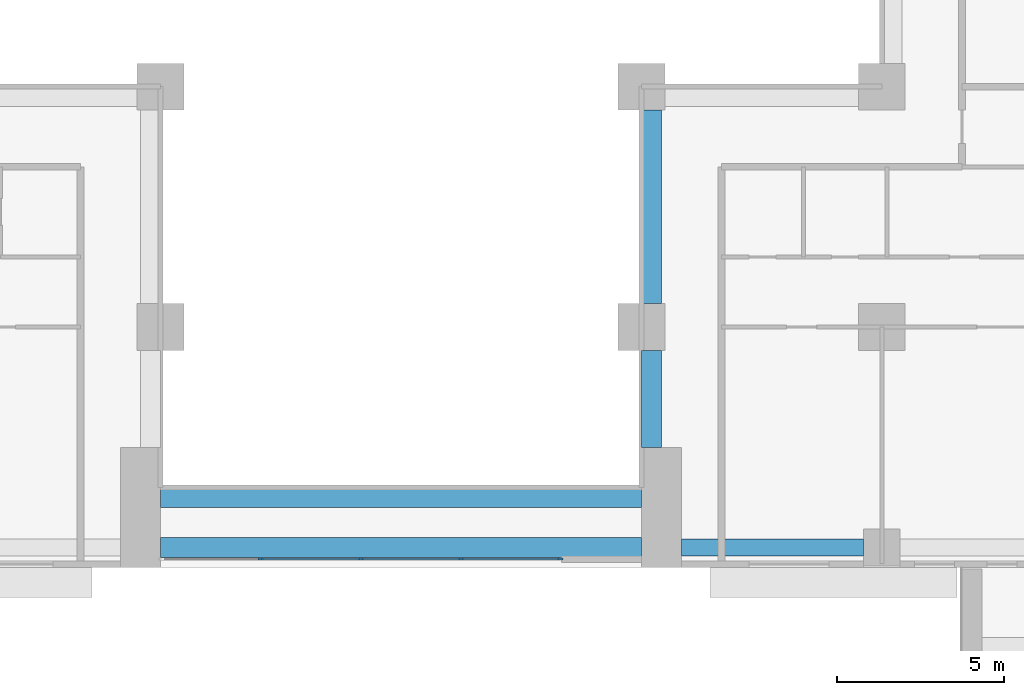
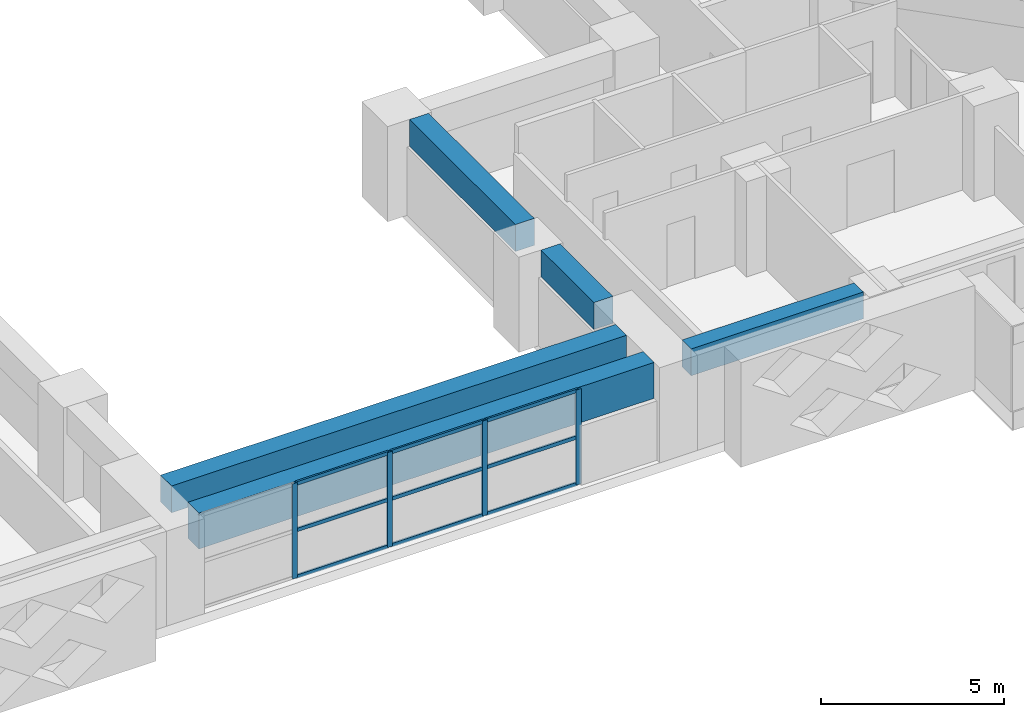
# One storey, part 4 of 16: 13 members, 5 beams, 1 element without a shape of its own.
"""IFC4 building model written with IfcOpenShell, lengths in metres."""

from ifc_helpers import new_model, si_unit, direction, frame, origin, origin_2d, place, context, subcontext, project, spatial, rectangle, extrude, source, transform, mapped, material, layer, layer_set, material_profile, profile_set, type_object, element, aggregate, save


model = new_model("IFC4")

# Units and contexts
model_context = context("Model", 3, precision=1e-05, world=origin(), true_north=direction((0.0, 1.0)))
body_context = subcontext(model_context, "Body", "Model", "MODEL_VIEW")
ifc_project = project(units=[si_unit("LENGTHUNIT", "METRE"), si_unit("AREAUNIT", "SQUARE_METRE"), si_unit("VOLUMEUNIT", "CUBIC_METRE"), si_unit("PLANEANGLEUNIT", "RADIAN"), si_unit("MASSUNIT", "GRAM", prefix="KILO")], contexts=[model_context])

# Site, building, storey
site_placement = place(None, origin())
site = spatial("IfcSite", under=ifc_project, at=site_placement, CompositionType="ELEMENT")
building_placement = place(site_placement, origin())
building = spatial("IfcBuilding", under=site, at=building_placement, Name="Saffron Iwan Residences", CompositionType="ELEMENT")
storey_placement = place(building_placement, frame((0.0, 0.0, 48.0)))
storey = spatial("IfcBuildingStorey", under=building, at=storey_placement, Name="L11", CompositionType="ELEMENT", Elevation=48.0)

# Beams
ifc_material_1 = material(Name="Concrete C60/75", Category="concrete")
ifc_material_profile_1 = material_profile(ifc_material_1, rectangle(XDim=0.5, YDim=0.89990234375, at=origin_2d()), Name="RC 500x900")
ifc_profile_set_1 = profile_set([ifc_material_profile_1], Name="Concrete C60/75")
beam_type_1 = type_object("IfcBeamType", Name="SPANDREL BEAM RC 500x900 C60/75 TOP 3180", PredefinedType="SPANDREL", material=ifc_profile_set_1)
shared_shape_1 = source(origin(), body_context, "Body", "SweptSolid", [
    extrude(rectangle(XDim=0.5, YDim=0.89990234375, at=origin_2d()), origin(), (0.0, 0.0, 1.0), 5.449951171875),
])
beam_1_placement = place(storey_placement, frame((64.25, 34.199951171875, 2.72998046875), z_axis=(-1.0, 0.0, 0.0), x_axis=(0.0, -1.0, 0.0)))
element("IfcBeam", 1, at=beam_1_placement, inside=storey, type_object=beam_type_1, Name="Spandrel beam", PredefinedType="SPANDREL", context=body_context, shape_type="MappedRepresentation", body=[
    mapped(shared_shape_1, transform((0.0, 0.0, 0.0))),
])
ifc_material_profile_2 = material_profile(ifc_material_1, rectangle(XDim=0.60009765625, YDim=1.199951171875, at=origin_2d()), Name="RC 600x1200")
ifc_profile_set_2 = profile_set([ifc_material_profile_2], Name="Concrete C60/75")
beam_type_2 = type_object("IfcBeamType", Name="LINTEL BEAM RC 600x1200 C60/75 TOP 3180", PredefinedType="LINTEL", material=ifc_profile_set_2)
shared_shape_2 = source(origin(), body_context, "Body", "SweptSolid", [
    extrude(rectangle(XDim=0.60009765625, YDim=1.199951171875, at=origin_2d()), origin(), (0.0, 0.0, 1.0), 14.400146484375),
])
beam_2_placement = place(storey_placement, frame((57.60009765625, 34.199951171875, 2.580078125), z_axis=(-1.0, 0.0, 0.0), x_axis=(0.0, -1.0, 0.0)))
element("IfcBeam", 2, at=beam_2_placement, inside=storey, type_object=beam_type_2, Name="Lintel beam over the iwan", PredefinedType="LINTEL", context=body_context, shape_type="MappedRepresentation", body=[
    mapped(shared_shape_2, transform((0.0, 0.0, 0.0))),
])
ifc_material_profile_3 = material_profile(ifc_material_1, rectangle(XDim=0.60009765625, YDim=0.89990234375, at=origin_2d()), Name="RC 600x900")
ifc_profile_set_3 = profile_set([ifc_material_profile_3], Name="Concrete C60/75")
beam_type_3 = type_object("IfcBeamType", Name="BEAM RC 600x900 C60/75 TOP 3180", PredefinedType="BEAM", material=ifc_profile_set_3)
shared_shape_3 = source(origin(), body_context, "Body", "SweptSolid", [
    extrude(rectangle(XDim=0.60009765625, YDim=0.89990234375, at=origin_2d()), origin(), (0.0, 0.0, 1.0), 14.400146484375),
])
beam_3_placement = place(storey_placement, frame((57.60009765625, 35.699951171875, 2.72998046875), z_axis=(-1.0, 0.0, 0.0), x_axis=(0.0, -1.0, 0.0)))
element("IfcBeam", 3, at=beam_3_placement, inside=storey, type_object=beam_type_3, Name="Atrium edge beam", PredefinedType="BEAM", context=body_context, shape_type="MappedRepresentation", body=[
    mapped(shared_shape_3, transform((0.0, 0.0, 0.0))),
])
shared_shape_4 = source(origin(), body_context, "Body", "SweptSolid", [
    extrude(rectangle(XDim=0.60009765625, YDim=0.89990234375, at=origin_2d()), origin(), (0.0, 0.0, 1.0), 2.900146484375),
])
beam_4_placement = place(storey_placement, frame((57.89990234375, 40.10009765625, 2.72998046875), z_axis=(0.0, -1.0, 0.0), x_axis=(1.0, 0.0, 0.0)))
element("IfcBeam", 4, at=beam_4_placement, inside=storey, type_object=beam_type_3, Name="Atrium edge beam", PredefinedType="BEAM", context=body_context, shape_type="MappedRepresentation", body=[
    mapped(shared_shape_4, transform((0.0, 0.0, 0.0))),
])
shared_shape_5 = source(origin(), body_context, "Body", "SweptSolid", [
    extrude(rectangle(XDim=0.60009765625, YDim=0.89990234375, at=origin_2d()), origin(), (0.0, 0.0, 1.0), 5.800048828125),
])
beam_5_placement = place(storey_placement, frame((57.89990234375, 47.300048828125, 2.72998046875), z_axis=(0.0, -1.0, 0.0), x_axis=(1.0, 0.0, 0.0)))
element("IfcBeam", 5, at=beam_5_placement, inside=storey, type_object=beam_type_3, Name="Atrium edge beam", PredefinedType="BEAM", context=body_context, shape_type="MappedRepresentation", body=[
    mapped(shared_shape_5, transform((0.0, 0.0, 0.0))),
])

# Curtain wall, members
ifc_material_2 = material(Name="Clear glass, laminated double glazed", Category="glass")
ifc_layer = layer(ifc_material_2, 0.199951171875)
ifc_layer_set = layer_set([ifc_layer], Name="Clear glass, laminated double glazed")
curtain_wall_type = type_object("IfcCurtainWallType", Name="CW-B IWAN PORTAL", PredefinedType="NOTDEFINED", material=ifc_layer_set)
curtain_wall_placement = place(storey_placement, origin())
curtain_wall = element("IfcCurtainWall", 6, at=curtain_wall_placement, inside=storey, type_object=curtain_wall_type, Name="Iwan portal glazing L11.1", PredefinedType="NOTDEFINED")
ifc_material_3 = material(Name="Aluminium 6063-T6", Category="aluminium")
ifc_material_profile_4 = material_profile(ifc_material_3, rectangle(XDim=0.06005859375, YDim=0.159912109375, at=origin_2d()), Name="CW-B MULLION 60 x 160")
ifc_profile_set_4 = profile_set([ifc_material_profile_4], Name="Aluminium 6063-T6")
member_type_1 = type_object("IfcMemberType", Name="CW-B MULLION 60 x 160", PredefinedType="MULLION", material=ifc_profile_set_4)
shared_shape_6 = source(origin(), body_context, "Body", "SweptSolid", [
    extrude(rectangle(XDim=0.06005859375, YDim=0.159912109375, at=origin_2d()), origin(), (0.0, 0.0, 1.0), 3.179931640625),
])
member_1_placement = place(storey_placement, frame((46.199951171875, 33.85009765625, 0.0), z_axis=(0.0, 0.0, 1.0), x_axis=(0.0, 1.0, 0.0)))
member_1 = element("IfcMember", 7, at=member_1_placement, type_object=member_type_1, Name="CW-B mullion 2", PredefinedType="MULLION", context=body_context, shape_type="MappedRepresentation", body=[
    mapped(shared_shape_6, transform((0.0, 0.0, 0.0))),
])
member_2_placement = place(storey_placement, frame((49.199951171875, 33.85009765625, 0.0), z_axis=(0.0, 0.0, 1.0), x_axis=(0.0, 1.0, 0.0)))
member_2 = element("IfcMember", 8, at=member_2_placement, type_object=member_type_1, Name="CW-B mullion 3", PredefinedType="MULLION", context=body_context, shape_type="MappedRepresentation", body=[
    mapped(shared_shape_6, transform((0.0, 0.0, 0.0))),
])
member_3_placement = place(storey_placement, frame((52.199951171875, 33.85009765625, 0.0), z_axis=(0.0, 0.0, 1.0), x_axis=(0.0, 1.0, 0.0)))
member_3 = element("IfcMember", 9, at=member_3_placement, type_object=member_type_1, Name="CW-B mullion 4", PredefinedType="MULLION", context=body_context, shape_type="MappedRepresentation", body=[
    mapped(shared_shape_6, transform((0.0, 0.0, 0.0))),
])
member_4_placement = place(storey_placement, frame((55.169921875, 33.85009765625, 0.0), z_axis=(0.0, 0.0, 1.0), x_axis=(0.0, 1.0, 0.0)))
member_4 = element("IfcMember", 10, at=member_4_placement, type_object=member_type_1, Name="CW-B mullion 5", PredefinedType="MULLION", context=body_context, shape_type="MappedRepresentation", body=[
    mapped(shared_shape_6, transform((0.0, 0.0, 0.0))),
])
ifc_material_profile_5 = material_profile(ifc_material_3, rectangle(XDim=0.06005859375, YDim=0.1201171875, at=origin_2d()), Name="CW-B TRANSOM 60 x 120")
ifc_profile_set_5 = profile_set([ifc_material_profile_5], Name="Aluminium 6063-T6")
member_type_2 = type_object("IfcMemberType", Name="CW-B TRANSOM 60 x 120", PredefinedType="USERDEFINED", material=ifc_profile_set_5)
shared_shape_7 = source(origin(), body_context, "Body", "SweptSolid", [
    extrude(rectangle(XDim=0.06005859375, YDim=0.1201171875, at=origin_2d()), origin(), (0.0, 0.0, 1.0), 2.909912109375),
])
member_5_placement = place(storey_placement, frame((52.22998046875, 33.85009765625, 0.030029296875), z_axis=(1.0, 0.0, 0.0), x_axis=(0.0, 1.0, 0.0)))
member_5 = element("IfcMember", 11, at=member_5_placement, type_object=member_type_2, Name="CW-B transom 4.1", ObjectType="TRANSOM", PredefinedType="USERDEFINED", context=body_context, shape_type="MappedRepresentation", body=[
    mapped(shared_shape_7, transform((0.0, 0.0, 0.0))),
])
member_6_placement = place(storey_placement, frame((52.22998046875, 33.85009765625, 1.590087890625), z_axis=(1.0, 0.0, 0.0), x_axis=(0.0, 1.0, 0.0)))
member_6 = element("IfcMember", 12, at=member_6_placement, type_object=member_type_2, Name="CW-B transom 4.2", ObjectType="TRANSOM", PredefinedType="USERDEFINED", context=body_context, shape_type="MappedRepresentation", body=[
    mapped(shared_shape_7, transform((0.0, 0.0, 0.0))),
])
member_7_placement = place(storey_placement, frame((52.22998046875, 33.85009765625, 3.14990234375), z_axis=(1.0, 0.0, 0.0), x_axis=(0.0, 1.0, 0.0)))
member_7 = element("IfcMember", 13, at=member_7_placement, type_object=member_type_2, Name="CW-B transom 4.3", ObjectType="TRANSOM", PredefinedType="USERDEFINED", context=body_context, shape_type="MappedRepresentation", body=[
    mapped(shared_shape_7, transform((0.0, 0.0, 0.0))),
])
shared_shape_8 = source(origin(), body_context, "Body", "SweptSolid", [
    extrude(rectangle(XDim=0.06005859375, YDim=0.1201171875, at=origin_2d()), origin(), (0.0, 0.0, 1.0), 2.93994140625),
])
member_8_placement = place(storey_placement, frame((46.22998046875, 33.85009765625, 0.030029296875), z_axis=(1.0, 0.0, 0.0), x_axis=(0.0, 1.0, 0.0)))
member_8 = element("IfcMember", 14, at=member_8_placement, type_object=member_type_2, Name="CW-B transom 2.1", ObjectType="TRANSOM", PredefinedType="USERDEFINED", context=body_context, shape_type="MappedRepresentation", body=[
    mapped(shared_shape_8, transform((0.0, 0.0, 0.0))),
])
member_9_placement = place(storey_placement, frame((46.22998046875, 33.85009765625, 1.590087890625), z_axis=(1.0, 0.0, 0.0), x_axis=(0.0, 1.0, 0.0)))
member_9 = element("IfcMember", 15, at=member_9_placement, type_object=member_type_2, Name="CW-B transom 2.2", ObjectType="TRANSOM", PredefinedType="USERDEFINED", context=body_context, shape_type="MappedRepresentation", body=[
    mapped(shared_shape_8, transform((0.0, 0.0, 0.0))),
])
member_10_placement = place(storey_placement, frame((46.22998046875, 33.85009765625, 3.14990234375), z_axis=(1.0, 0.0, 0.0), x_axis=(0.0, 1.0, 0.0)))
member_10 = element("IfcMember", 16, at=member_10_placement, type_object=member_type_2, Name="CW-B transom 2.3", ObjectType="TRANSOM", PredefinedType="USERDEFINED", context=body_context, shape_type="MappedRepresentation", body=[
    mapped(shared_shape_8, transform((0.0, 0.0, 0.0))),
])
member_11_placement = place(storey_placement, frame((49.22998046875, 33.85009765625, 0.030029296875), z_axis=(1.0, 0.0, 0.0), x_axis=(0.0, 1.0, 0.0)))
member_11 = element("IfcMember", 17, at=member_11_placement, type_object=member_type_2, Name="CW-B transom 3.1", ObjectType="TRANSOM", PredefinedType="USERDEFINED", context=body_context, shape_type="MappedRepresentation", body=[
    mapped(shared_shape_8, transform((0.0, 0.0, 0.0))),
])
member_12_placement = place(storey_placement, frame((49.22998046875, 33.85009765625, 1.590087890625), z_axis=(1.0, 0.0, 0.0), x_axis=(0.0, 1.0, 0.0)))
member_12 = element("IfcMember", 18, at=member_12_placement, type_object=member_type_2, Name="CW-B transom 3.2", ObjectType="TRANSOM", PredefinedType="USERDEFINED", context=body_context, shape_type="MappedRepresentation", body=[
    mapped(shared_shape_8, transform((0.0, 0.0, 0.0))),
])
member_13_placement = place(storey_placement, frame((49.22998046875, 33.85009765625, 3.14990234375), z_axis=(1.0, 0.0, 0.0), x_axis=(0.0, 1.0, 0.0)))
member_13 = element("IfcMember", 19, at=member_13_placement, type_object=member_type_2, Name="CW-B transom 3.3", ObjectType="TRANSOM", PredefinedType="USERDEFINED", context=body_context, shape_type="MappedRepresentation", body=[
    mapped(shared_shape_8, transform((0.0, 0.0, 0.0))),
])
aggregate(curtain_wall, [member_1, member_2, member_3, member_4, member_8, member_9, member_10, member_11, member_12, member_13, member_5, member_6, member_7])

save(model, "model.ifc")
